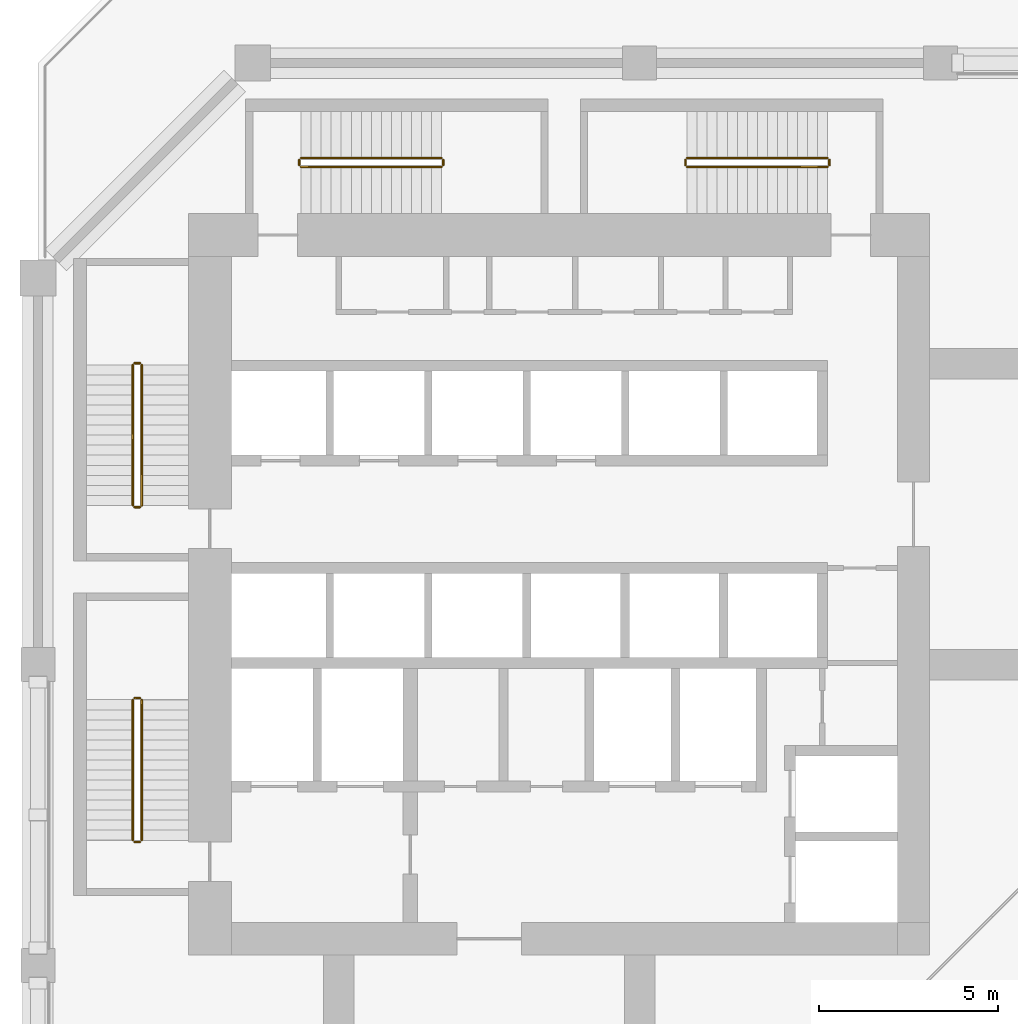
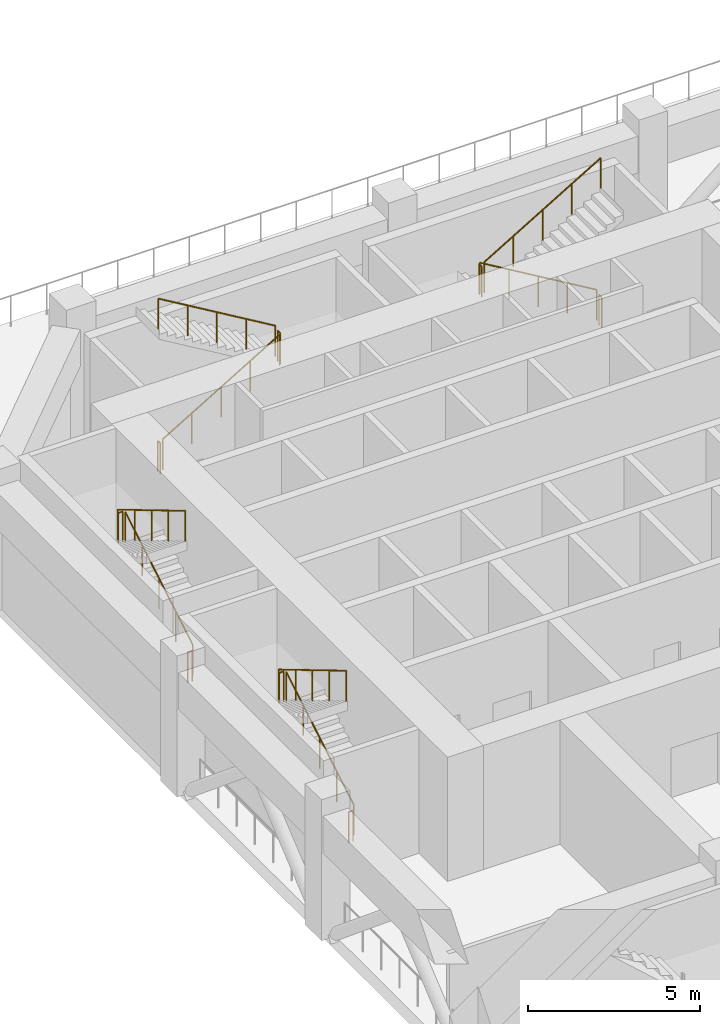
# One storey, part 14 of 19: 16 railings.
"""IFC4 building model written with IfcOpenShell, lengths in metres."""

from ifc_helpers import new_model, si_unit, direction, frame, origin, origin_2d, place, context, subcontext, project, spatial, circle, extrude, material, type_object, element, save


model = new_model("IFC4")

# Units and contexts
model_context = context("Model", 3, precision=1e-05, world=origin(), true_north=direction((0.0, 1.0)))
body_context = subcontext(model_context, "Body", "Model", "MODEL_VIEW")
ifc_project = project(units=[si_unit("LENGTHUNIT", "METRE"), si_unit("AREAUNIT", "SQUARE_METRE"), si_unit("VOLUMEUNIT", "CUBIC_METRE"), si_unit("PLANEANGLEUNIT", "RADIAN"), si_unit("MASSUNIT", "GRAM", prefix="KILO")], contexts=[model_context])

# Site, building, storey
site_placement = place(None, origin())
site = spatial("IfcSite", under=ifc_project, at=site_placement, CompositionType="ELEMENT")
building_placement = place(site_placement, origin())
building = spatial("IfcBuilding", under=site, at=building_placement, Name="Kawkab Arch Medical Tower", CompositionType="ELEMENT")
storey_placement = place(building_placement, frame((0.0, 0.0, 153.39990234375)))
storey = spatial("IfcBuildingStorey", under=building, at=storey_placement, Name="L35", CompositionType="ELEMENT", Elevation=153.39990234375)

# Railings
ifc_material = material(Name="Stainless steel", Category="steel")
railing_type = type_object("IfcRailingType", Name="Stair guard 1100", PredefinedType="GUARDRAIL", material=ifc_material)
railing_1_placement = place(storey_placement, frame((2.89990234375, -12.35009765625, 0.166748046875)))
element("IfcRailing", 1, at=railing_1_placement, inside=storey, type_object=railing_type, Name="L35 ST1 stair guard 1", PredefinedType="GUARDRAIL", context=body_context, shape_type="SweptSolid", body=[
    extrude(circle(Radius=0.02392578125, at=origin_2d()), frame((0.0, 0.0, 1.076171875), z_axis=(0.0, 0.859310244771, 0.511454693235), x_axis=(-1.0, 0.0, 0.0)), (0.0, 0.0, 1.0), 4.56201171875),
    extrude(circle(Radius=0.02099609375, at=origin_2d()), origin(), (0.0, 0.0, 1.0), 1.052001953125),
    extrude(circle(Radius=0.02099609375, at=origin_2d()), frame((0.0, 0.97998046875, 0.583251953125)), (0.0, 0.0, 1.0), 1.052001953125),
    extrude(circle(Radius=0.02099609375, at=origin_2d()), frame((0.0, 1.9599609375, 1.16650390625)), (0.0, 0.0, 1.0), 1.052001953125),
    extrude(circle(Radius=0.02099609375, at=origin_2d()), frame((0.0, 2.940185546875, 1.75)), (0.0, 0.0, 1.0), 1.052001953125),
    extrude(circle(Radius=0.02099609375, at=origin_2d()), frame((0.0, 3.920166015625, 2.333251953125)), (0.0, 0.0, 1.0), 1.052001953125),
])
railing_2_placement = place(storey_placement, frame((2.85009765625, -8.3798828125, 2.5)))
element("IfcRailing", 2, at=railing_2_placement, inside=storey, type_object=railing_type, Name="L35 ST1 stair guard 2", PredefinedType="GUARDRAIL", context=body_context, shape_type="SweptSolid", body=[
    extrude(circle(Radius=0.02392578125, at=origin_2d()), frame((0.0, 0.0, 1.076171875), z_axis=(-1.0, 0.0, 0.0), x_axis=(0.0, -1.0, 0.0)), (0.0, 0.0, 1.0), 0.150146484375),
    extrude(circle(Radius=0.02099609375, at=origin_2d()), origin(), (0.0, 0.0, 1.0), 1.052001953125),
    extrude(circle(Radius=0.02099609375, at=origin_2d()), frame((-0.150146484375, 0.0, 0.0)), (0.0, 0.0, 1.0), 1.052001953125),
])
railing_3_placement = place(storey_placement, frame((2.64990234375, -8.429931640625, 2.666748046875)))
element("IfcRailing", 3, at=railing_3_placement, inside=storey, type_object=railing_type, Name="L35 ST1 stair guard 3", PredefinedType="GUARDRAIL", context=body_context, shape_type="SweptSolid", body=[
    extrude(circle(Radius=0.02392578125, at=origin_2d()), frame((0.0, 0.0, 1.076171875), z_axis=(0.0, -0.859310244771, 0.511454693235), x_axis=(1.0, 0.0, 0.0)), (0.0, 0.0, 1.0), 4.56201171875),
    extrude(circle(Radius=0.02099609375, at=origin_2d()), origin(), (0.0, 0.0, 1.0), 1.052001953125),
    extrude(circle(Radius=0.02099609375, at=origin_2d()), frame((0.0, -0.97998046875, 0.583251953125)), (0.0, 0.0, 1.0), 1.052001953125),
    extrude(circle(Radius=0.02099609375, at=origin_2d()), frame((0.0, -1.9599609375, 1.16650390625)), (0.0, 0.0, 1.0), 1.052001953125),
    extrude(circle(Radius=0.02099609375, at=origin_2d()), frame((0.0, -2.940185546875, 1.75)), (0.0, 0.0, 1.0), 1.052001953125),
    extrude(circle(Radius=0.02099609375, at=origin_2d()), frame((0.0, -3.920166015625, 2.333251953125)), (0.0, 0.0, 1.0), 1.052001953125),
])
railing_4_placement = place(storey_placement, frame((2.85009765625, -12.39990234375, 0.0)))
element("IfcRailing", 4, at=railing_4_placement, inside=storey, type_object=railing_type, Name="L35 ST1 stair guard 4", PredefinedType="GUARDRAIL", context=body_context, shape_type="SweptSolid", body=[
    extrude(circle(Radius=0.02392578125, at=origin_2d()), frame((0.0, 0.0, 1.076171875), z_axis=(-1.0, 0.0, 0.0), x_axis=(0.0, -1.0, 0.0)), (0.0, 0.0, 1.0), 0.150146484375),
    extrude(circle(Radius=0.02099609375, at=origin_2d()), origin(), (0.0, 0.0, 1.0), 1.052001953125),
    extrude(circle(Radius=0.02099609375, at=origin_2d()), frame((-0.150146484375, 0.0, 0.0)), (0.0, 0.0, 1.0), 1.052001953125),
])
railing_5_placement = place(storey_placement, frame((2.89990234375, -21.699951171875, 0.166748046875)))
element("IfcRailing", 5, at=railing_5_placement, inside=storey, type_object=railing_type, Name="L35 ST2 stair guard 1", PredefinedType="GUARDRAIL", context=body_context, shape_type="SweptSolid", body=[
    extrude(circle(Radius=0.02392578125, at=origin_2d()), frame((0.0, 0.0, 1.076171875), z_axis=(0.0, 0.859296244711, 0.511478214419), x_axis=(-1.0, 0.0, 0.0)), (0.0, 0.0, 1.0), 4.561767578125),
    extrude(circle(Radius=0.02099609375, at=origin_2d()), origin(), (0.0, 0.0, 1.0), 1.052001953125),
    extrude(circle(Radius=0.02099609375, at=origin_2d()), frame((0.0, 0.97998046875, 0.583251953125)), (0.0, 0.0, 1.0), 1.052001953125),
    extrude(circle(Radius=0.02099609375, at=origin_2d()), frame((0.0, 1.9599609375, 1.16650390625)), (0.0, 0.0, 1.0), 1.052001953125),
    extrude(circle(Radius=0.02099609375, at=origin_2d()), frame((0.0, 2.93994140625, 1.75)), (0.0, 0.0, 1.0), 1.052001953125),
    extrude(circle(Radius=0.02099609375, at=origin_2d()), frame((0.0, 3.919921875, 2.333251953125)), (0.0, 0.0, 1.0), 1.052001953125),
])
railing_6_placement = place(storey_placement, frame((2.85009765625, -17.72998046875, 2.5)))
element("IfcRailing", 6, at=railing_6_placement, inside=storey, type_object=railing_type, Name="L35 ST2 stair guard 2", PredefinedType="GUARDRAIL", context=body_context, shape_type="SweptSolid", body=[
    extrude(circle(Radius=0.02392578125, at=origin_2d()), frame((0.0, 0.0, 1.076171875), z_axis=(-1.0, 0.0, 0.0), x_axis=(0.0, -1.0, 0.0)), (0.0, 0.0, 1.0), 0.150146484375),
    extrude(circle(Radius=0.02099609375, at=origin_2d()), origin(), (0.0, 0.0, 1.0), 1.052001953125),
    extrude(circle(Radius=0.02099609375, at=origin_2d()), frame((-0.150146484375, 0.0, 0.0)), (0.0, 0.0, 1.0), 1.052001953125),
])
railing_7_placement = place(storey_placement, frame((2.64990234375, -17.780029296875, 2.666748046875)))
element("IfcRailing", 7, at=railing_7_placement, inside=storey, type_object=railing_type, Name="L35 ST2 stair guard 3", PredefinedType="GUARDRAIL", context=body_context, shape_type="SweptSolid", body=[
    extrude(circle(Radius=0.02392578125, at=origin_2d()), frame((0.0, 0.0, 1.076171875), z_axis=(0.0, -0.859296244711, 0.511478214419), x_axis=(1.0, 0.0, 0.0)), (0.0, 0.0, 1.0), 4.561767578125),
    extrude(circle(Radius=0.02099609375, at=origin_2d()), origin(), (0.0, 0.0, 1.0), 1.052001953125),
    extrude(circle(Radius=0.02099609375, at=origin_2d()), frame((0.0, -0.97998046875, 0.583251953125)), (0.0, 0.0, 1.0), 1.052001953125),
    extrude(circle(Radius=0.02099609375, at=origin_2d()), frame((0.0, -1.9599609375, 1.16650390625)), (0.0, 0.0, 1.0), 1.052001953125),
    extrude(circle(Radius=0.02099609375, at=origin_2d()), frame((0.0, -2.93994140625, 1.75)), (0.0, 0.0, 1.0), 1.052001953125),
    extrude(circle(Radius=0.02099609375, at=origin_2d()), frame((0.0, -3.919921875, 2.333251953125)), (0.0, 0.0, 1.0), 1.052001953125),
])
railing_8_placement = place(storey_placement, frame((2.85009765625, -21.75, 0.0)))
element("IfcRailing", 8, at=railing_8_placement, inside=storey, type_object=railing_type, Name="L35 ST2 stair guard 4", PredefinedType="GUARDRAIL", context=body_context, shape_type="SweptSolid", body=[
    extrude(circle(Radius=0.02392578125, at=origin_2d()), frame((0.0, 0.0, 1.076171875), z_axis=(-1.0, 0.0, 0.0), x_axis=(0.0, -1.0, 0.0)), (0.0, 0.0, 1.0), 0.150146484375),
    extrude(circle(Radius=0.02099609375, at=origin_2d()), origin(), (0.0, 0.0, 1.0), 1.052001953125),
    extrude(circle(Radius=0.02099609375, at=origin_2d()), frame((-0.150146484375, 0.0, 0.0)), (0.0, 0.0, 1.0), 1.052001953125),
])
railing_9_placement = place(storey_placement, frame((7.35009765625, -2.89990234375, 0.166748046875)))
element("IfcRailing", 9, at=railing_9_placement, inside=storey, type_object=railing_type, Name="L35 ST3 stair guard 1", PredefinedType="GUARDRAIL", context=body_context, shape_type="SweptSolid", body=[
    extrude(circle(Radius=0.02392578125, at=origin_2d()), frame((0.0, 0.0, 1.076171875), z_axis=(0.859296244711, 0.0, 0.511478214419), x_axis=(0.0, 1.0, 0.0)), (0.0, 0.0, 1.0), 4.561767578125),
    extrude(circle(Radius=0.02099609375, at=origin_2d()), origin(), (0.0, 0.0, 1.0), 1.052001953125),
    extrude(circle(Radius=0.02099609375, at=origin_2d()), frame((0.97998046875, 0.0, 0.583251953125)), (0.0, 0.0, 1.0), 1.052001953125),
    extrude(circle(Radius=0.02099609375, at=origin_2d()), frame((1.9599609375, 0.0, 1.16650390625)), (0.0, 0.0, 1.0), 1.052001953125),
    extrude(circle(Radius=0.02099609375, at=origin_2d()), frame((2.93994140625, 0.0, 1.75)), (0.0, 0.0, 1.0), 1.052001953125),
    extrude(circle(Radius=0.02099609375, at=origin_2d()), frame((3.919921875, 0.0, 2.333251953125)), (0.0, 0.0, 1.0), 1.052001953125),
])
railing_10_placement = place(storey_placement, frame((11.320068359375, -2.85009765625, 2.5)))
element("IfcRailing", 10, at=railing_10_placement, inside=storey, type_object=railing_type, Name="L35 ST3 stair guard 2", PredefinedType="GUARDRAIL", context=body_context, shape_type="SweptSolid", body=[
    extrude(circle(Radius=0.02392578125, at=origin_2d()), frame((0.0, 0.0, 1.076171875), z_axis=(0.0, 1.0, 0.0), x_axis=(-1.0, 0.0, 0.0)), (0.0, 0.0, 1.0), 0.150146484375),
    extrude(circle(Radius=0.02099609375, at=origin_2d()), origin(), (0.0, 0.0, 1.0), 1.052001953125),
    extrude(circle(Radius=0.02099609375, at=origin_2d()), frame((0.0, 0.150146484375, 0.0)), (0.0, 0.0, 1.0), 1.052001953125),
])
railing_11_placement = place(storey_placement, frame((11.27001953125, -2.64990234375, 2.666748046875)))
element("IfcRailing", 11, at=railing_11_placement, inside=storey, type_object=railing_type, Name="L35 ST3 stair guard 3", PredefinedType="GUARDRAIL", context=body_context, shape_type="SweptSolid", body=[
    extrude(circle(Radius=0.02392578125, at=origin_2d()), frame((0.0, 0.0, 1.076171875), z_axis=(-0.859296244711, 0.0, 0.511478214419), x_axis=(0.0, -1.0, 0.0)), (0.0, 0.0, 1.0), 4.561767578125),
    extrude(circle(Radius=0.02099609375, at=origin_2d()), origin(), (0.0, 0.0, 1.0), 1.052001953125),
    extrude(circle(Radius=0.02099609375, at=origin_2d()), frame((-0.97998046875, 0.0, 0.583251953125)), (0.0, 0.0, 1.0), 1.052001953125),
    extrude(circle(Radius=0.02099609375, at=origin_2d()), frame((-1.9599609375, 0.0, 1.16650390625)), (0.0, 0.0, 1.0), 1.052001953125),
    extrude(circle(Radius=0.02099609375, at=origin_2d()), frame((-2.93994140625, 0.0, 1.75)), (0.0, 0.0, 1.0), 1.052001953125),
    extrude(circle(Radius=0.02099609375, at=origin_2d()), frame((-3.919921875, 0.0, 2.333251953125)), (0.0, 0.0, 1.0), 1.052001953125),
])
railing_12_placement = place(storey_placement, frame((7.300048828125, -2.85009765625, 0.0)))
element("IfcRailing", 12, at=railing_12_placement, inside=storey, type_object=railing_type, Name="L35 ST3 stair guard 4", PredefinedType="GUARDRAIL", context=body_context, shape_type="SweptSolid", body=[
    extrude(circle(Radius=0.02392578125, at=origin_2d()), frame((0.0, 0.0, 1.076171875), z_axis=(0.0, 1.0, 0.0), x_axis=(-1.0, 0.0, 0.0)), (0.0, 0.0, 1.0), 0.150146484375),
    extrude(circle(Radius=0.02099609375, at=origin_2d()), origin(), (0.0, 0.0, 1.0), 1.052001953125),
    extrude(circle(Radius=0.02099609375, at=origin_2d()), frame((0.0, 0.150146484375, 0.0)), (0.0, 0.0, 1.0), 1.052001953125),
])
railing_13_placement = place(storey_placement, frame((22.050048828125, -2.64990234375, 0.166748046875)))
element("IfcRailing", 13, at=railing_13_placement, inside=storey, type_object=railing_type, Name="L35 ST4 stair guard 1", PredefinedType="GUARDRAIL", context=body_context, shape_type="SweptSolid", body=[
    extrude(circle(Radius=0.02392578125, at=origin_2d()), frame((0.0, 0.0, 1.076171875), z_axis=(-0.859310244771, 0.0, 0.511454693235), x_axis=(0.0, -1.0, 0.0)), (0.0, 0.0, 1.0), 4.56201171875),
    extrude(circle(Radius=0.02099609375, at=origin_2d()), origin(), (0.0, 0.0, 1.0), 1.052001953125),
    extrude(circle(Radius=0.02099609375, at=origin_2d()), frame((-0.97998046875, 0.0, 0.583251953125)), (0.0, 0.0, 1.0), 1.052001953125),
    extrude(circle(Radius=0.02099609375, at=origin_2d()), frame((-1.9599609375, 0.0, 1.16650390625)), (0.0, 0.0, 1.0), 1.052001953125),
    extrude(circle(Radius=0.02099609375, at=origin_2d()), frame((-2.940185546875, 0.0, 1.75)), (0.0, 0.0, 1.0), 1.052001953125),
    extrude(circle(Radius=0.02099609375, at=origin_2d()), frame((-3.920166015625, 0.0, 2.333251953125)), (0.0, 0.0, 1.0), 1.052001953125),
])
railing_14_placement = place(storey_placement, frame((18.080078125, -2.699951171875, 2.5)))
element("IfcRailing", 14, at=railing_14_placement, inside=storey, type_object=railing_type, Name="L35 ST4 stair guard 2", PredefinedType="GUARDRAIL", context=body_context, shape_type="SweptSolid", body=[
    extrude(circle(Radius=0.02392578125, at=origin_2d()), frame((0.0, 0.0, 1.076171875), z_axis=(0.0, -1.0, 0.0), x_axis=(1.0, 0.0, 0.0)), (0.0, 0.0, 1.0), 0.150146484375),
    extrude(circle(Radius=0.02099609375, at=origin_2d()), origin(), (0.0, 0.0, 1.0), 1.052001953125),
    extrude(circle(Radius=0.02099609375, at=origin_2d()), frame((0.0, -0.150146484375, 0.0)), (0.0, 0.0, 1.0), 1.052001953125),
])
railing_15_placement = place(storey_placement, frame((18.1298828125, -2.89990234375, 2.666748046875)))
element("IfcRailing", 15, at=railing_15_placement, inside=storey, type_object=railing_type, Name="L35 ST4 stair guard 3", PredefinedType="GUARDRAIL", context=body_context, shape_type="SweptSolid", body=[
    extrude(circle(Radius=0.02392578125, at=origin_2d()), frame((0.0, 0.0, 1.076171875), z_axis=(0.859310244771, 0.0, 0.511454693235), x_axis=(0.0, 1.0, 0.0)), (0.0, 0.0, 1.0), 4.56201171875),
    extrude(circle(Radius=0.02099609375, at=origin_2d()), origin(), (0.0, 0.0, 1.0), 1.052001953125),
    extrude(circle(Radius=0.02099609375, at=origin_2d()), frame((0.97998046875, 0.0, 0.583251953125)), (0.0, 0.0, 1.0), 1.052001953125),
    extrude(circle(Radius=0.02099609375, at=origin_2d()), frame((1.9599609375, 0.0, 1.16650390625)), (0.0, 0.0, 1.0), 1.052001953125),
    extrude(circle(Radius=0.02099609375, at=origin_2d()), frame((2.940185546875, 0.0, 1.75)), (0.0, 0.0, 1.0), 1.052001953125),
    extrude(circle(Radius=0.02099609375, at=origin_2d()), frame((3.920166015625, 0.0, 2.333251953125)), (0.0, 0.0, 1.0), 1.052001953125),
])
railing_16_placement = place(storey_placement, frame((22.10009765625, -2.699951171875, 0.0)))
element("IfcRailing", 16, at=railing_16_placement, inside=storey, type_object=railing_type, Name="L35 ST4 stair guard 4", PredefinedType="GUARDRAIL", context=body_context, shape_type="SweptSolid", body=[
    extrude(circle(Radius=0.02392578125, at=origin_2d()), frame((0.0, 0.0, 1.076171875), z_axis=(0.0, -1.0, 0.0), x_axis=(1.0, 0.0, 0.0)), (0.0, 0.0, 1.0), 0.150146484375),
    extrude(circle(Radius=0.02099609375, at=origin_2d()), origin(), (0.0, 0.0, 1.0), 1.052001953125),
    extrude(circle(Radius=0.02099609375, at=origin_2d()), frame((0.0, -0.150146484375, 0.0)), (0.0, 0.0, 1.0), 1.052001953125),
])

save(model, "model.ifc")
